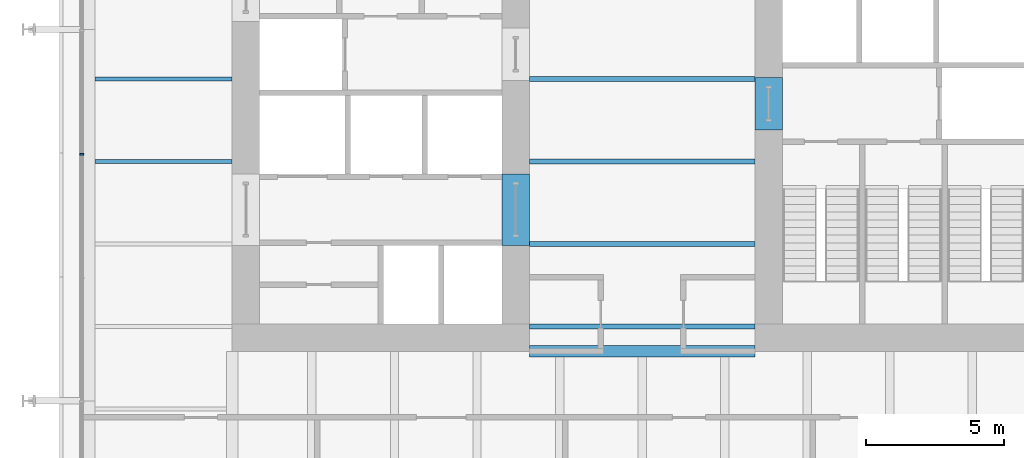
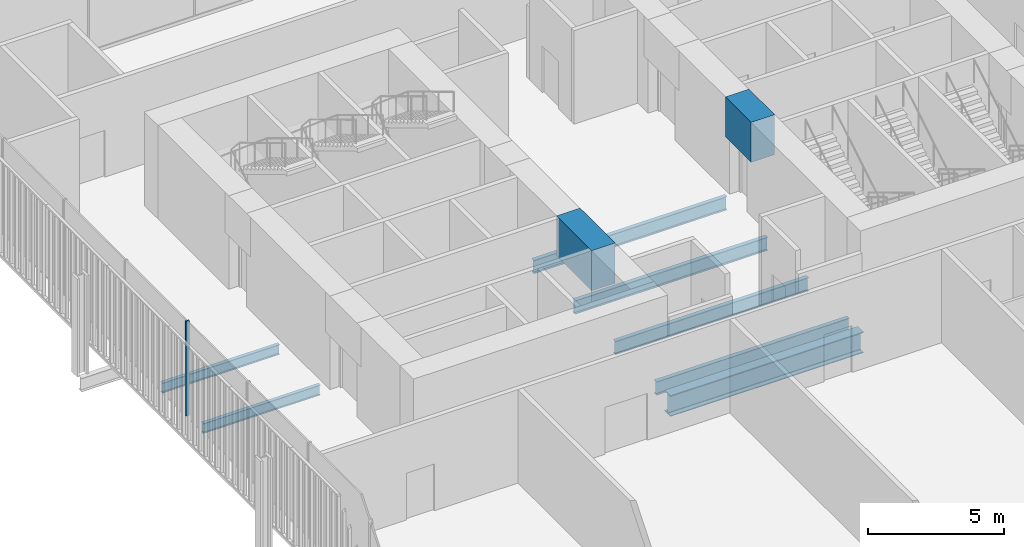
# One storey, part 7 of 20: 9 beams, 1 member, 1 element without a shape of its own.
"""IFC4 building model written with IfcOpenShell, lengths in metres."""

from ifc_helpers import new_model, si_unit, direction, frame, origin, origin_2d, place, context, subcontext, project, spatial, rectangle, i_section, extrude, material, layer, layer_set, material_profile, profile_set, type_object, element, aggregate, save


model = new_model("IFC4")

# Units and contexts
model_context = context("Model", 3, precision=1e-05, world=origin(), true_north=direction((0.0, 1.0)))
body_context = subcontext(model_context, "Body", "Model", "MODEL_VIEW")
ifc_project = project(units=[si_unit("LENGTHUNIT", "METRE"), si_unit("AREAUNIT", "SQUARE_METRE"), si_unit("VOLUMEUNIT", "CUBIC_METRE"), si_unit("PLANEANGLEUNIT", "RADIAN"), si_unit("MASSUNIT", "GRAM", prefix="KILO")], contexts=[model_context])

# Site, building, storey
site_placement = place(None, origin())
site = spatial("IfcSite", under=ifc_project, at=site_placement, CompositionType="ELEMENT")
building_placement = place(site_placement, origin())
building = spatial("IfcBuilding", under=site, at=building_placement, Name="Millrace Tower", CompositionType="ELEMENT")
storey_placement = place(building_placement, frame((0.0, 0.0, 99.60009765625)))
storey = spatial("IfcBuildingStorey", under=building, at=storey_placement, Name="L22", CompositionType="ELEMENT", Elevation=99.60009765625)

# Curtain wall, member
ifc_material_1 = material(Name="Aluminium and glass", Category="aluminium")
ifc_layer = layer(ifc_material_1, 0.14990234375)
ifc_layer_set = layer_set([ifc_layer], Name="Aluminium and glass")
curtain_wall_type = type_object("IfcCurtainWallType", Name="CW-3 telecom floor curtain wall", PredefinedType="NOTDEFINED", material=ifc_layer_set)
curtain_wall_placement = place(storey_placement, origin())
curtain_wall = element("IfcCurtainWall", 1, at=curtain_wall_placement, inside=storey, type_object=curtain_wall_type, Name="Curtain wall B-F08 L22", PredefinedType="NOTDEFINED")
ifc_material_2 = material(Name="Aluminium", Category="aluminium")
ifc_material_profile_1 = material_profile(ifc_material_2, rectangle(XDim=0.06494140625, YDim=0.14990234375, at=origin_2d()))
ifc_profile_set_1 = profile_set([ifc_material_profile_1], Name="Aluminium")
member_type = type_object("IfcMemberType", Name="CW-3 telecom floor curtain wall mullion", PredefinedType="MULLION", material=ifc_profile_set_1)
member_placement = place(storey_placement, frame((-20.375, -2.732421875, 0.14990234375), z_axis=(0.0, 0.0, 1.0), x_axis=(0.0, -1.0, 0.0)))
member = element("IfcMember", 2, at=member_placement, type_object=member_type, Name="CW3 mullion B-F08.5", PredefinedType="MULLION", context=body_context, shape_type="SweptSolid", body=[
    extrude(rectangle(XDim=0.06494140625, YDim=0.14990234375, at=origin_2d()), origin(), (0.0, 0.0, 1.0), 4.25),
])
aggregate(curtain_wall, [member])

# Beams
ifc_material_3 = material(Name="Concrete C80", Category="concrete")
ifc_material_profile_2 = material_profile(ifc_material_3, rectangle(XDim=1.0, YDim=1.800048828125, at=origin_2d()))
ifc_profile_set_2 = profile_set([ifc_material_profile_2], Name="Concrete C80")
beam_type_1 = type_object("IfcBeamType", Name="Coupling beam 1000 x 1800 Concrete C80, 1300 opening", PredefinedType="BEAM", material=ifc_profile_set_2)
beam_1_placement = place(storey_placement, frame((4.60009765625, 0.050048828125, 3.2998046875), z_axis=(0.0, -1.0, 0.0), x_axis=(1.0, 0.0, 0.0)))
element("IfcBeam", 3, at=beam_1_placement, inside=storey, type_object=beam_type_1, Name="Coupling beam E L22", PredefinedType="BEAM", context=body_context, shape_type="SweptSolid", body=[
    extrude(rectangle(XDim=1.0, YDim=1.800048828125, at=origin_2d()), origin(), (0.0, 0.0, 1.0), 1.900146484375),
])
ifc_material_4 = material(Name="Concrete C80", Category="concrete")
ifc_material_profile_3 = material_profile(ifc_material_4, rectangle(XDim=1.0, YDim=1.800048828125, at=origin_2d()))
ifc_profile_set_3 = profile_set([ifc_material_profile_3], Name="Concrete C80")
beam_type_2 = type_object("IfcBeamType", Name="Coupling beam 1000 x 1800 Concrete C80, 2000 opening", PredefinedType="BEAM", material=ifc_profile_set_3)
beam_2_placement = place(storey_placement, frame((-4.60009765625, -6.050048828125, 3.2998046875), z_axis=(0.0, 1.0, 0.0), x_axis=(-1.0, 0.0, 0.0)))
element("IfcBeam", 4, at=beam_2_placement, inside=storey, type_object=beam_type_2, Name="Coupling beam W L22", PredefinedType="BEAM", context=body_context, shape_type="SweptSolid", body=[
    extrude(rectangle(XDim=1.0, YDim=1.800048828125, at=origin_2d()), origin(), (0.0, 0.0, 1.0), 2.60009765625),
])
ifc_material_5 = material(Name="Steel ASTM A992 Grade 50", Category="steel")
ifc_material_profile_4 = material_profile(ifc_material_5, i_section(OverallWidth=0.15234375, OverallDepth=0.449462890625, WebThickness=0.007568359375, FlangeThickness=0.0107421875, FilletRadius=0.01025390625, at=origin_2d()))
ifc_profile_set_4 = profile_set([ifc_material_profile_4], Name="Steel ASTM A992 Grade 50")
beam_type_3 = type_object("IfcBeamType", Name="Floor beam W18x35", PredefinedType="JOIST", material=ifc_profile_set_4)
for number, where, z_axis, x_axis, name in (
    (5, (-19.880859375, -3.0, -0.4248046875), (1.0, 0.0, 0.0), (0.0, 1.0, 0.0), "BM-B-L22-S1-S020"),
    (6, (-19.880859375, 0.0, -0.4248046875), (1.0, 0.0, 0.0), (0.0, 1.0, 0.0), "BM-B-L22-S1-S023"),
):
    element("IfcBeam", number, at=place(storey_placement, frame(where, z_axis=z_axis, x_axis=x_axis)), inside=storey, type_object=beam_type_3, Name=name, PredefinedType="JOIST", context=body_context, shape_type="SweptSolid", body=[
        extrude(i_section(OverallWidth=0.15234375, OverallDepth=0.449462890625, WebThickness=0.007568359375, FlangeThickness=0.0107421875, FilletRadius=0.01025390625, at=origin_2d()), origin(), (0.0, 0.0, 1.0), 4.98095703125),
    ])
ifc_material_6 = material(Name="Steel ASTM A992 Grade 50", Category="steel")
ifc_material_profile_5 = material_profile(ifc_material_6, i_section(OverallWidth=0.177978515625, OverallDepth=0.599365234375, WebThickness=0.010009765625, FlangeThickness=0.012939453125, FilletRadius=0.012939453125, at=origin_2d()))
ifc_profile_set_5 = profile_set([ifc_material_profile_5], Name="Steel ASTM A992 Grade 50")
beam_type_4 = type_object("IfcBeamType", Name="Floor beam W24x55", PredefinedType="JOIST", material=ifc_profile_set_5)
for number, where, z_axis, x_axis, name in (
    (7, (-4.10009765625, -9.0, -0.499755859375), (1.0, 0.0, 0.0), (0.0, 1.0, 0.0), "BM-B-L22-S1-S013"),
    (8, (-4.10009765625, -6.0, -0.499755859375), (1.0, 0.0, 0.0), (0.0, 1.0, 0.0), "BM-B-L22-S1-S016"),
    (9, (-4.10009765625, -3.0, -0.499755859375), (1.0, 0.0, 0.0), (0.0, 1.0, 0.0), "BM-B-L22-S1-S019"),
    (10, (-4.10009765625, 0.0, -0.499755859375), (1.0, 0.0, 0.0), (0.0, 1.0, 0.0), "BM-B-L22-S1-S022"),
):
    element("IfcBeam", number, at=place(storey_placement, frame(where, z_axis=z_axis, x_axis=x_axis)), inside=storey, type_object=beam_type_4, Name=name, PredefinedType="JOIST", context=body_context, shape_type="SweptSolid", body=[
        extrude(i_section(OverallWidth=0.177978515625, OverallDepth=0.599365234375, WebThickness=0.010009765625, FlangeThickness=0.012939453125, FilletRadius=0.012939453125, at=origin_2d()), origin(), (0.0, 0.0, 1.0), 8.2001953125),
    ])
ifc_material_7 = material(Name="Steel ASTM A992 Grade 50", Category="steel")
ifc_material_profile_6 = material_profile(ifc_material_7, i_section(OverallWidth=0.421630859375, OverallDepth=0.937255859375, WebThickness=0.021240234375, FlangeThickness=0.03662109375, FilletRadius=0.024169921875, at=origin_2d()))
ifc_profile_set_6 = profile_set([ifc_material_profile_6], Name="Steel ASTM A992 Grade 50")
beam_type_5 = type_object("IfcBeamType", Name="Girder short span W36x262", PredefinedType="BEAM", material=ifc_profile_set_6)
beam_3_placement = place(storey_placement, frame((-4.10009765625, -9.89990234375, -0.668701171875), z_axis=(1.0, 0.0, 0.0), x_axis=(0.0, 1.0, 0.0)))
element("IfcBeam", 11, at=beam_3_placement, inside=storey, type_object=beam_type_5, Name="BM-B-L22-S1-G063", PredefinedType="BEAM", context=body_context, shape_type="SweptSolid", body=[
    extrude(i_section(OverallWidth=0.421630859375, OverallDepth=0.937255859375, WebThickness=0.021240234375, FlangeThickness=0.03662109375, FilletRadius=0.024169921875, at=origin_2d()), origin(), (0.0, 0.0, 1.0), 8.2001953125),
])

save(model, "model.ifc")
